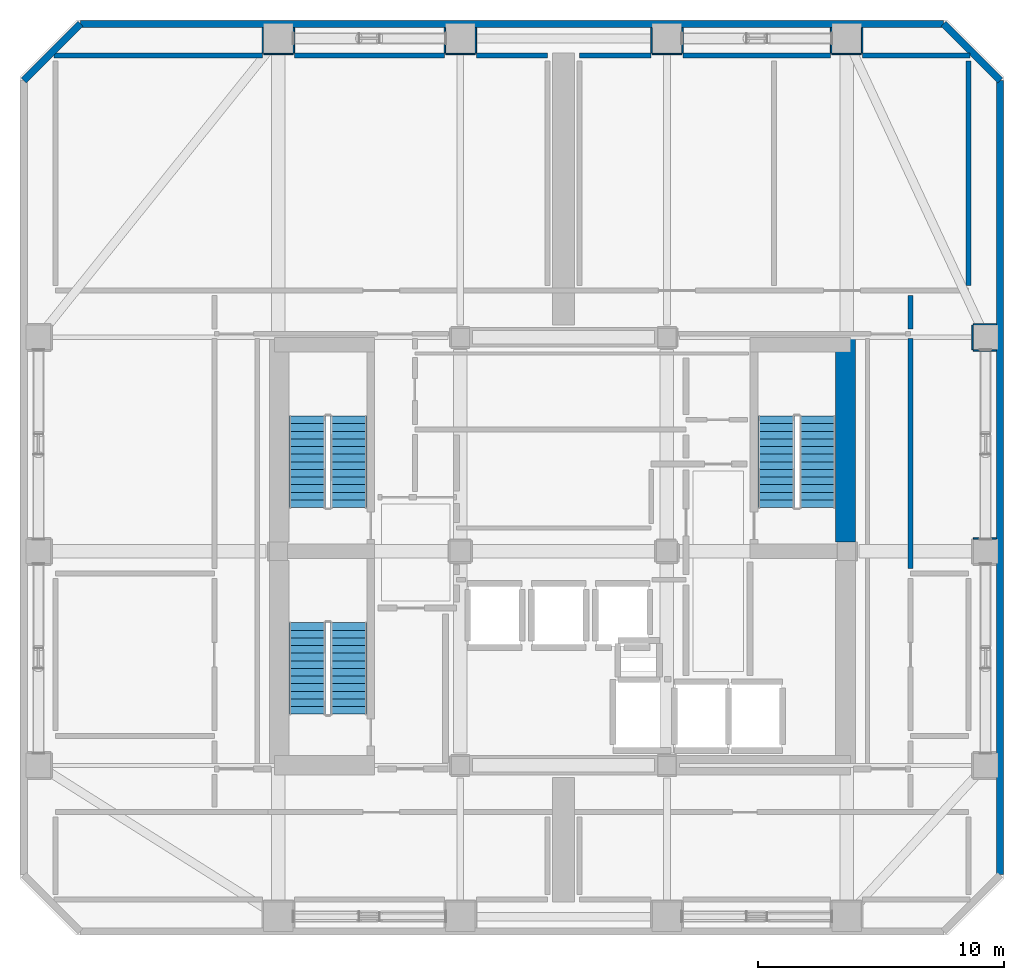
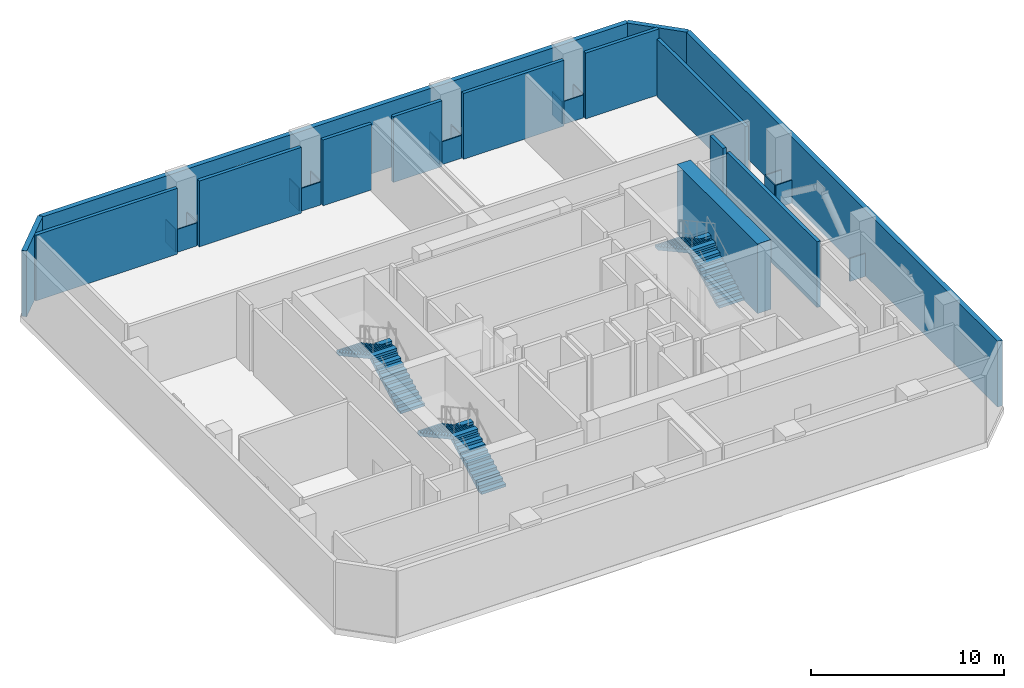
# One storey, part 11 of 12: 30 walls, 6 stair flights, 3 elements without a shape of their own.
"""IFC4 building model written with IfcOpenShell, lengths in metres."""

from ifc_helpers import new_model, si_unit, direction, frame, frame_2d, origin, place, context, subcontext, project, spatial, polyline, rectangle, outline, extrude, material, layer, layer_set, type_object, element, aggregate, save


model = new_model("IFC4")

# Units and contexts
model_context = context("Model", 3, precision=1e-05, world=origin(), true_north=direction((0.0, 1.0)))
body_context = subcontext(model_context, "Body", "Model", "MODEL_VIEW")
ifc_project = project(units=[si_unit("LENGTHUNIT", "METRE"), si_unit("AREAUNIT", "SQUARE_METRE"), si_unit("VOLUMEUNIT", "CUBIC_METRE"), si_unit("PLANEANGLEUNIT", "RADIAN"), si_unit("MASSUNIT", "GRAM", prefix="KILO")], contexts=[model_context])

# Site, building, storey
site_placement = place(None, origin())
site = spatial("IfcSite", under=ifc_project, at=site_placement, CompositionType="ELEMENT")
building_placement = place(site_placement, origin())
building = spatial("IfcBuilding", under=site, at=building_placement, Name="Solanera Arch Residences", CompositionType="ELEMENT")
storey_placement = place(building_placement, frame((0.0, 0.0, 172.47998046875)))
storey = spatial("IfcBuildingStorey", under=building, at=storey_placement, Name="L50", CompositionType="ELEMENT", Elevation=172.47998046875)

# Walls
ifc_material_1 = material(Name="Fire-Rated Gypsum Stud Partition", Category="gypsum")
ifc_layer_1 = layer(ifc_material_1, 0.06005859375)
ifc_layer_set_1 = layer_set([ifc_layer_1], Name="Fire-Rated Gypsum Stud Partition")
wall_type_1 = type_object("IfcWallType", Name="Column Acoustic Furring Wall 60", PredefinedType="PARTITIONING", material=ifc_layer_set_1)
wall_1_placement = place(storey_placement, frame((12.800048828125, 50.91796875, 0.0), z_axis=(0.0, 0.0, 1.0), x_axis=(1.0, 0.0, 0.0)))
element("IfcWall", 1, at=wall_1_placement, inside=storey, type_object=wall_type_1, Name="L50 Column Furring 10S", PredefinedType="PARTITIONING", context=body_context, shape_type="SweptSolid", body=[
    extrude(rectangle(XDim=1.199951171875, YDim=0.06005859375, at=frame_2d((0.60009765625, 0.0))), origin(), (0.0, 0.0, 1.0), 1.449951171875),
])
for number, where, z_axis, x_axis, name in (
    (2, (12.76806640625, 50.949951171875, 0.0), (0.0, 0.0, 1.0), (0.0, 1.0, 0.0), "L50 Column Furring 10W"),
    (3, (14.031982421875, 50.949951171875, 0.0), (0.0, 0.0, 1.0), (0.0, 1.0, 0.0), "L50 Column Furring 10E"),
):
    element("IfcWall", number, at=place(storey_placement, frame(where, z_axis=z_axis, x_axis=x_axis)), inside=storey, type_object=wall_type_1, Name=name, PredefinedType="PARTITIONING", context=body_context, shape_type="SweptSolid", body=[
        extrude(rectangle(XDim=1.0400390625, YDim=0.06005859375, at=frame_2d((0.52001953125, 0.0))), origin(), (0.0, 0.0, 1.0), 1.449951171875),
    ])
wall_2_placement = place(storey_placement, frame((20.199951171875, 50.91796875, 0.0), z_axis=(0.0, 0.0, 1.0), x_axis=(1.0, 0.0, 0.0)))
element("IfcWall", 4, at=wall_2_placement, inside=storey, type_object=wall_type_1, Name="L50 Column Furring 12S", PredefinedType="PARTITIONING", context=body_context, shape_type="SweptSolid", body=[
    extrude(rectangle(XDim=1.199951171875, YDim=0.06005859375, at=frame_2d((0.60009765625, 0.0))), origin(), (0.0, 0.0, 1.0), 1.449951171875),
])
for number, where, z_axis, x_axis, name in (
    (5, (20.16796875, 50.949951171875, 0.0), (0.0, 0.0, 1.0), (0.0, 1.0, 0.0), "L50 Column Furring 12W"),
    (6, (21.431884765625, 50.949951171875, 0.0), (0.0, 0.0, 1.0), (0.0, 1.0, 0.0), "L50 Column Furring 12E"),
):
    element("IfcWall", number, at=place(storey_placement, frame(where, z_axis=z_axis, x_axis=x_axis)), inside=storey, type_object=wall_type_1, Name=name, PredefinedType="PARTITIONING", context=body_context, shape_type="SweptSolid", body=[
        extrude(rectangle(XDim=1.0400390625, YDim=0.06005859375, at=frame_2d((0.52001953125, 0.0))), origin(), (0.0, 0.0, 1.0), 1.449951171875),
    ])
wall_3_placement = place(storey_placement, frame((28.60009765625, 50.91796875, 0.0), z_axis=(0.0, 0.0, 1.0), x_axis=(1.0, 0.0, 0.0)))
element("IfcWall", 7, at=wall_3_placement, inside=storey, type_object=wall_type_1, Name="L50 Column Furring 14S", PredefinedType="PARTITIONING", context=body_context, shape_type="SweptSolid", body=[
    extrude(rectangle(XDim=1.199951171875, YDim=0.06005859375, at=frame_2d((0.60009765625, 0.0))), origin(), (0.0, 0.0, 1.0), 1.449951171875),
])
for number, where, z_axis, x_axis, name in (
    (8, (28.568115234375, 50.949951171875, 0.0), (0.0, 0.0, 1.0), (0.0, 1.0, 0.0), "L50 Column Furring 14W"),
    (9, (29.83203125, 50.949951171875, 0.0), (0.0, 0.0, 1.0), (0.0, 1.0, 0.0), "L50 Column Furring 14E"),
):
    element("IfcWall", number, at=place(storey_placement, frame(where, z_axis=z_axis, x_axis=x_axis)), inside=storey, type_object=wall_type_1, Name=name, PredefinedType="PARTITIONING", context=body_context, shape_type="SweptSolid", body=[
        extrude(rectangle(XDim=1.0400390625, YDim=0.06005859375, at=frame_2d((0.52001953125, 0.0))), origin(), (0.0, 0.0, 1.0), 1.449951171875),
    ])
wall_4_placement = place(storey_placement, frame((35.89990234375, 50.91796875, 0.0), z_axis=(0.0, 0.0, 1.0), x_axis=(1.0, 0.0, 0.0)))
element("IfcWall", 10, at=wall_4_placement, inside=storey, type_object=wall_type_1, Name="L50 Column Furring 16S", PredefinedType="PARTITIONING", context=body_context, shape_type="SweptSolid", body=[
    extrude(rectangle(XDim=1.2001953125, YDim=0.06005859375, at=frame_2d((0.60009765625, 0.0))), origin(), (0.0, 0.0, 1.0), 1.449951171875),
])
for number, where, z_axis, x_axis, name in (
    (11, (35.867919921875, 50.949951171875, 0.0), (0.0, 0.0, 1.0), (0.0, 1.0, 0.0), "L50 Column Furring 16W"),
    (12, (37.132080078125, 50.949951171875, 0.0), (0.0, 0.0, 1.0), (0.0, 1.0, 0.0), "L50 Column Furring 16E"),
):
    element("IfcWall", number, at=place(storey_placement, frame(where, z_axis=z_axis, x_axis=x_axis)), inside=storey, type_object=wall_type_1, Name=name, PredefinedType="PARTITIONING", context=body_context, shape_type="SweptSolid", body=[
        extrude(rectangle(XDim=1.0400390625, YDim=0.06005859375, at=frame_2d((0.52001953125, 0.0))), origin(), (0.0, 0.0, 1.0), 1.449951171875),
    ])
for number, where, z_axis, x_axis, name in (
    (13, (41.64990234375, 31.23193359375, 0.0), (0.0, 0.0, 1.0), (1.0, 0.0, 0.0), "L50 Column Furring 20N"),
    (14, (41.64990234375, 38.867919921875, 0.0), (0.0, 0.0, 1.0), (1.0, 0.0, 0.0), "L50 Column Furring 22S"),
    (15, (41.64990234375, 39.931884765625, 0.0), (0.0, 0.0, 1.0), (1.0, 0.0, 0.0), "L50 Column Furring 22N"),
):
    element("IfcWall", number, at=place(storey_placement, frame(where, z_axis=z_axis, x_axis=x_axis)), inside=storey, type_object=wall_type_1, Name=name, PredefinedType="PARTITIONING", context=body_context, shape_type="SweptSolid", body=[
        extrude(rectangle(XDim=0.940185546875, YDim=0.06005859375, at=frame_2d((0.47021484375, 0.0))), origin(), (0.0, 0.0, 1.0), 1.449951171875),
    ])
wall_5_placement = place(storey_placement, frame((41.617919921875, 38.89990234375, 0.0), z_axis=(0.0, 0.0, 1.0), x_axis=(0.0, 1.0, 0.0)))
element("IfcWall", 16, at=wall_5_placement, inside=storey, type_object=wall_type_1, Name="L50 Column Furring 22W", PredefinedType="PARTITIONING", context=body_context, shape_type="SweptSolid", body=[
    extrude(rectangle(XDim=1.0, YDim=0.06005859375, at=frame_2d((0.5, 0.0))), origin(), (0.0, 0.0, 1.0), 1.449951171875),
])
ifc_material_2 = material(Name="Concrete C40/50 (f'c = 45 MPa)", Category="concrete")
ifc_layer_2 = layer(ifc_material_2, 0.800048828125)
ifc_layer_set_2 = layer_set([ifc_layer_2], Name="Concrete C40/50 (f'c = 45 MPa)")
wall_type_2 = type_object("IfcWallType", Name="Core Shear Wall CW-800", PredefinedType="SHEAR", material=ifc_layer_set_2)
wall_6_placement = place(storey_placement, frame((36.4599609375, 31.080078125, 0.0), z_axis=(0.0, 0.0, 1.0), x_axis=(0.0, 1.0, 0.0)))
element("IfcWall", 17, at=wall_6_placement, inside=storey, type_object=wall_type_2, Name="L50 East Core North Shear Wall", PredefinedType="SHEAR", context=body_context, shape_type="SweptSolid", body=[
    extrude(rectangle(XDim=8.31982421875, YDim=0.800048828125, at=frame_2d((4.159912109375, 0.0))), origin(), (0.0, 0.0, 1.0), 4.39990234375),
])
ifc_material_3 = material(Name="Precast Concrete C35/45", Category="concrete")
ifc_layer_3 = layer(ifc_material_3, 0.280029296875)
ifc_layer_set_3 = layer_set([ifc_layer_3], Name="Precast Concrete C35/45")
wall_type_3 = type_object("IfcWallType", Name="Exterior Wall Precast Masonry-Frame 280", PredefinedType="STANDARD", material=ifc_layer_set_3)
wall_7_placement = place(storey_placement, frame((3.054931640625, 49.844970703125, 0.0), z_axis=(0.0, 0.0, 1.0), x_axis=(0.707106781187, 0.707106781187, 0.0)))
element("IfcWall", 18, at=wall_7_placement, inside=storey, type_object=wall_type_3, Name="L50 Tower Exterior Precast Masonry-Frame Wall CH1", PredefinedType="STANDARD", context=body_context, shape_type="SweptSolid", body=[
    extrude(rectangle(XDim=3.252685546875, YDim=0.280029296875, at=frame_2d((1.62646484375, 0.0))), origin(), (0.0, 0.0, 1.0), 4.159912109375),
])
wall_8_placement = place(storey_placement, frame((5.35498046875, 52.14501953125, 0.0), z_axis=(0.0, 0.0, 1.0), x_axis=(1.0, 0.0, 0.0)))
element("IfcWall", 19, at=wall_8_placement, inside=storey, type_object=wall_type_3, Name="L50 Tower Exterior Precast Masonry-Frame Wall N", PredefinedType="STANDARD", context=body_context, shape_type="SweptSolid", body=[
    extrude(rectangle(XDim=35.090087890625, YDim=0.280029296875, at=frame_2d((17.544921875, 0.0))), origin(), (0.0, 0.0, 1.0), 4.159912109375),
])
wall_9_placement = place(storey_placement, frame((40.445068359375, 52.14501953125, 0.0), z_axis=(0.0, 0.0, 1.0), x_axis=(0.707106781187, -0.707106781187, 0.0)))
element("IfcWall", 20, at=wall_9_placement, inside=storey, type_object=wall_type_3, Name="L50 Tower Exterior Precast Masonry-Frame Wall CH3", PredefinedType="STANDARD", context=body_context, shape_type="SweptSolid", body=[
    extrude(rectangle(XDim=3.252685546875, YDim=0.280029296875, at=frame_2d((1.62646484375, 0.0))), origin(), (0.0, 0.0, 1.0), 4.159912109375),
])
wall_10_placement = place(storey_placement, frame((42.7451171875, 49.844970703125, 0.0), z_axis=(0.0, 0.0, 1.0), x_axis=(0.0, -1.0, 0.0)))
element("IfcWall", 21, at=wall_10_placement, inside=storey, type_object=wall_type_3, Name="L50 Tower Exterior Precast Masonry-Frame Wall E", PredefinedType="STANDARD", context=body_context, shape_type="SweptSolid", body=[
    extrude(rectangle(XDim=32.2900390625, YDim=0.280029296875, at=frame_2d((16.14501953125, 0.0))), origin(), (0.0, 0.0, 1.0), 4.159912109375),
])
ifc_material_4 = material(Name="Autoclaved Aerated Concrete Blockwork", Category="masonry")
ifc_layer_4 = layer(ifc_material_4, 0.199951171875)
ifc_layer_set_4 = layer_set([ifc_layer_4], Name="Autoclaved Aerated Concrete Blockwork")
wall_type_4 = type_object("IfcWallType", Name="Party Wall Acoustic 200", PredefinedType="PARTITIONING", material=ifc_layer_set_4)
wall_11_placement = place(storey_placement, frame((4.27490234375, 50.85009765625, 0.0), z_axis=(0.0, 0.0, 1.0), x_axis=(1.0, 0.0, 0.0)))
element("IfcWall", 22, at=wall_11_placement, inside=storey, type_object=wall_type_4, Name="L50 Interior Partition H15 1", PredefinedType="PARTITIONING", context=body_context, shape_type="SweptSolid", body=[
    extrude(rectangle(XDim=8.47509765625, YDim=0.199951171875, at=frame_2d((4.237548828125, 0.0))), origin(), (0.0, 0.0, 1.0), 4.159912109375),
])
wall_12_placement = place(storey_placement, frame((14.050048828125, 50.85009765625, 0.0), z_axis=(0.0, 0.0, 1.0), x_axis=(1.0, 0.0, 0.0)))
element("IfcWall", 23, at=wall_12_placement, inside=storey, type_object=wall_type_4, Name="L50 Interior Partition H15 2", PredefinedType="PARTITIONING", context=body_context, shape_type="SweptSolid", body=[
    extrude(rectangle(XDim=6.099853515625, YDim=0.199951171875, at=frame_2d((3.0498046875, 0.0))), origin(), (0.0, 0.0, 1.0), 4.159912109375),
])
for number, where, z_axis, x_axis, name in (
    (24, (21.449951171875, 50.85009765625, 0.0), (0.0, 0.0, 1.0), (1.0, 0.0, 0.0), "L50 Interior Partition H15 3"),
    (25, (25.64990234375, 50.85009765625, 0.0), (0.0, 0.0, 1.0), (1.0, 0.0, 0.0), "L50 Interior Partition H16 1"),
):
    element("IfcWall", number, at=place(storey_placement, frame(where, z_axis=z_axis, x_axis=x_axis)), inside=storey, type_object=wall_type_4, Name=name, PredefinedType="PARTITIONING", context=body_context, shape_type="SweptSolid", body=[
        extrude(rectangle(XDim=2.900146484375, YDim=0.199951171875, at=frame_2d((1.4501953125, 0.0))), origin(), (0.0, 0.0, 1.0), 4.159912109375),
    ])
wall_13_placement = place(storey_placement, frame((29.85009765625, 50.85009765625, 0.0), z_axis=(0.0, 0.0, 1.0), x_axis=(1.0, 0.0, 0.0)))
element("IfcWall", 26, at=wall_13_placement, inside=storey, type_object=wall_type_4, Name="L50 Interior Partition H16 2", PredefinedType="PARTITIONING", context=body_context, shape_type="SweptSolid", body=[
    extrude(rectangle(XDim=6.0, YDim=0.199951171875, at=frame_2d((3.0, 0.0))), origin(), (0.0, 0.0, 1.0), 4.159912109375),
])
wall_14_placement = place(storey_placement, frame((37.14990234375, 50.85009765625, 0.0), z_axis=(0.0, 0.0, 1.0), x_axis=(1.0, 0.0, 0.0)))
element("IfcWall", 27, at=wall_14_placement, inside=storey, type_object=wall_type_4, Name="L50 Interior Partition H16 3", PredefinedType="PARTITIONING", context=body_context, shape_type="SweptSolid", body=[
    extrude(rectangle(XDim=4.375, YDim=0.199951171875, at=frame_2d((2.1875, 0.0))), origin(), (0.0, 0.0, 1.0), 4.159912109375),
])
wall_15_placement = place(storey_placement, frame((39.10009765625, 30.008056640625, 0.0), z_axis=(0.0, 0.0, 1.0), x_axis=(0.0, 1.0, 0.0)))
element("IfcWall", 28, at=wall_15_placement, inside=storey, type_object=wall_type_4, Name="L50 Interior Partition V16 4", PredefinedType="PARTITIONING", context=body_context, shape_type="SweptSolid", body=[
    extrude(rectangle(XDim=9.343994140625, YDim=0.199951171875, at=frame_2d((4.671875, 0.0))), origin(), (0.0, 0.0, 1.0), 4.159912109375),
])
wall_16_placement = place(storey_placement, frame((39.10009765625, 39.748046875, 0.0), z_axis=(0.0, 0.0, 1.0), x_axis=(0.0, 1.0, 0.0)))
element("IfcWall", 29, at=wall_16_placement, inside=storey, type_object=wall_type_4, Name="L50 Interior Partition V16 5", PredefinedType="PARTITIONING", context=body_context, shape_type="SweptSolid", body=[
    extrude(rectangle(XDim=1.343994140625, YDim=0.199951171875, at=frame_2d((0.671875, 0.0))), origin(), (0.0, 0.0, 1.0), 4.159912109375),
])
wall_17_placement = place(storey_placement, frame((41.449951171875, 41.508056640625, 0.0), z_axis=(0.0, 0.0, 1.0), x_axis=(0.0, 1.0, 0.0)))
element("IfcWall", 30, at=wall_17_placement, inside=storey, type_object=wall_type_4, Name="L50 Interior Partition V19", PredefinedType="PARTITIONING", context=body_context, shape_type="SweptSolid", body=[
    extrude(rectangle(XDim=9.134033203125, YDim=0.199951171875, at=frame_2d((4.56689453125, 0.0))), origin(), (0.0, 0.0, 1.0), 3.64501953125),
])

# Stair, stair flights
ifc_material_5 = material(Name="Concrete C40/50 (f'c = 45 MPa)", Category="concrete")
stair_type = type_object("IfcStairType", Name="Tower Dogleg Exit Stair 1480", PredefinedType="HALF_TURN_STAIR", material=ifc_material_5)
stair_1_placement = place(storey_placement, origin())
stair_1 = element("IfcStair", 31, at=stair_1_placement, inside=storey, type_object=stair_type, Name="L50 Tower Core Exit Stair 1", PredefinedType="HALF_TURN_STAIR")
ifc_material_6 = material(Name="Concrete C40/50 (f'c = 45 MPa)", Category="concrete")
stair_flight_type = type_object("IfcStairFlightType", Name="Tower Precast Stair Flight 1480", PredefinedType="STRAIGHT", material=ifc_material_6)
stair_flight_1_placement = place(storey_placement, frame((16.260009765625, 32.47998046875, 0.0), z_axis=(0.0, 0.0, 1.0), x_axis=(0.0, 1.0, 0.0)))
stair_flight_1 = element("IfcStairFlight", 32, at=stair_flight_1_placement, type_object=stair_flight_type, Name="ST-T1 flight 1", NumberOfRisers=13, NumberOfTreads=12, PredefinedType="STRAIGHT", RiserHeight=0.169230769, TreadLength=0.31, context=body_context, shape_type="SweptSolid", body=[
    extrude(outline(polyline([(0.0, 0.0), (0.0, 0.169189453125), (0.31005859375, 0.169189453125), (0.31005859375, 0.33837890625), (0.6201171875, 0.33837890625), (0.6201171875, 0.5078125), (0.929931640625, 0.5078125), (0.929931640625, 0.677001953125), (1.239990234375, 0.677001953125), (1.239990234375, 0.84619140625), (1.550048828125, 0.84619140625), (1.550048828125, 1.015380859375), (1.860107421875, 1.015380859375), (1.860107421875, 1.1845703125), (2.169921875, 1.1845703125), (2.169921875, 1.353759765625), (2.47998046875, 1.353759765625), (2.47998046875, 1.523193359375), (2.7900390625, 1.523193359375), (2.7900390625, 1.6923828125), (3.10009765625, 1.6923828125), (3.10009765625, 1.861572265625), (3.409912109375, 1.861572265625), (3.409912109375, 2.03076171875), (3.719970703125, 2.03076171875), (3.719970703125, 2.199951171875), (3.719970703125, 1.85986328125), (0.312744140625, 0.0), (0.0, 0.0)])), frame((0.0, 0.739990234375, 0.0), z_axis=(0.0, -1.0, 0.0), x_axis=(1.0, 0.0, 0.0)), (0.0, 0.0, 1.0), 1.47998046875),
])
stair_flight_2_placement = place(storey_placement, frame((14.580078125, 36.199951171875, 2.199951171875), z_axis=(0.0, 0.0, 1.0), x_axis=(0.0, -1.0, 0.0)))
stair_flight_2 = element("IfcStairFlight", 33, at=stair_flight_2_placement, type_object=stair_flight_type, Name="ST-T1 flight 2", NumberOfRisers=13, NumberOfTreads=12, PredefinedType="STRAIGHT", RiserHeight=0.169230769, TreadLength=0.31, context=body_context, shape_type="SweptSolid", body=[
    extrude(outline(polyline([(0.0, 0.0), (0.0, 0.169189453125), (0.31005859375, 0.169189453125), (0.31005859375, 0.33837890625), (0.6201171875, 0.33837890625), (0.6201171875, 0.5078125), (0.929931640625, 0.5078125), (0.929931640625, 0.677001953125), (1.239990234375, 0.677001953125), (1.239990234375, 0.84619140625), (1.550048828125, 0.84619140625), (1.550048828125, 1.015380859375), (1.860107421875, 1.015380859375), (1.860107421875, 1.1845703125), (2.169921875, 1.1845703125), (2.169921875, 1.353759765625), (2.47998046875, 1.353759765625), (2.47998046875, 1.523193359375), (2.7900390625, 1.523193359375), (2.7900390625, 1.6923828125), (3.10009765625, 1.6923828125), (3.10009765625, 1.861572265625), (3.409912109375, 1.861572265625), (3.409912109375, 2.03076171875), (3.719970703125, 2.03076171875), (3.719970703125, 2.199951171875), (3.719970703125, 1.85986328125), (0.312744140625, 0.0), (0.0, 0.0)])), frame((0.0, 0.739990234375, 0.0), z_axis=(0.0, -1.0, 0.0), x_axis=(1.0, 0.0, 0.0)), (0.0, 0.0, 1.0), 1.47998046875),
])
aggregate(stair_1, [stair_flight_1, stair_flight_2])

stair_2_placement = place(storey_placement, origin())
stair_2 = element("IfcStair", 34, at=stair_2_placement, inside=storey, type_object=stair_type, Name="L50 Tower Core Exit Stair 2", PredefinedType="HALF_TURN_STAIR")
stair_flight_3_placement = place(storey_placement, frame((35.320068359375, 32.47998046875, 0.0), z_axis=(0.0, 0.0, 1.0), x_axis=(0.0, 1.0, 0.0)))
stair_flight_3 = element("IfcStairFlight", 35, at=stair_flight_3_placement, type_object=stair_flight_type, Name="ST-T2 flight 1", NumberOfRisers=13, NumberOfTreads=12, PredefinedType="STRAIGHT", RiserHeight=0.169230769, TreadLength=0.31, context=body_context, shape_type="SweptSolid", body=[
    extrude(outline(polyline([(0.0, 0.0), (0.0, 0.169189453125), (0.31005859375, 0.169189453125), (0.31005859375, 0.33837890625), (0.6201171875, 0.33837890625), (0.6201171875, 0.5078125), (0.929931640625, 0.5078125), (0.929931640625, 0.677001953125), (1.239990234375, 0.677001953125), (1.239990234375, 0.84619140625), (1.550048828125, 0.84619140625), (1.550048828125, 1.015380859375), (1.860107421875, 1.015380859375), (1.860107421875, 1.1845703125), (2.169921875, 1.1845703125), (2.169921875, 1.353759765625), (2.47998046875, 1.353759765625), (2.47998046875, 1.523193359375), (2.7900390625, 1.523193359375), (2.7900390625, 1.6923828125), (3.10009765625, 1.6923828125), (3.10009765625, 1.861572265625), (3.409912109375, 1.861572265625), (3.409912109375, 2.03076171875), (3.719970703125, 2.03076171875), (3.719970703125, 2.199951171875), (3.719970703125, 1.85986328125), (0.312744140625, 0.0), (0.0, 0.0)])), frame((0.0, 0.739990234375, 0.0), z_axis=(0.0, -1.0, 0.0), x_axis=(1.0, 0.0, 0.0)), (0.0, 0.0, 1.0), 1.47998046875),
])
stair_flight_4_placement = place(storey_placement, frame((33.639892578125, 36.199951171875, 2.199951171875), z_axis=(0.0, 0.0, 1.0), x_axis=(0.0, -1.0, 0.0)))
stair_flight_4 = element("IfcStairFlight", 36, at=stair_flight_4_placement, type_object=stair_flight_type, Name="ST-T2 flight 2", NumberOfRisers=13, NumberOfTreads=12, PredefinedType="STRAIGHT", RiserHeight=0.169230769, TreadLength=0.31, context=body_context, shape_type="SweptSolid", body=[
    extrude(outline(polyline([(0.0, 0.0), (0.0, 0.169189453125), (0.31005859375, 0.169189453125), (0.31005859375, 0.33837890625), (0.6201171875, 0.33837890625), (0.6201171875, 0.5078125), (0.929931640625, 0.5078125), (0.929931640625, 0.677001953125), (1.239990234375, 0.677001953125), (1.239990234375, 0.84619140625), (1.550048828125, 0.84619140625), (1.550048828125, 1.015380859375), (1.860107421875, 1.015380859375), (1.860107421875, 1.1845703125), (2.169921875, 1.1845703125), (2.169921875, 1.353759765625), (2.47998046875, 1.353759765625), (2.47998046875, 1.523193359375), (2.7900390625, 1.523193359375), (2.7900390625, 1.6923828125), (3.10009765625, 1.6923828125), (3.10009765625, 1.861572265625), (3.409912109375, 1.861572265625), (3.409912109375, 2.03076171875), (3.719970703125, 2.03076171875), (3.719970703125, 2.199951171875), (3.719970703125, 1.85986328125), (0.312744140625, 0.0), (0.0, 0.0)])), frame((0.0, 0.739990234375, 0.0), z_axis=(0.0, -1.0, 0.0), x_axis=(1.0, 0.0, 0.0)), (0.0, 0.0, 1.0), 1.47998046875),
])
aggregate(stair_2, [stair_flight_3, stair_flight_4])

stair_3_placement = place(storey_placement, origin())
stair_3 = element("IfcStair", 37, at=stair_3_placement, inside=storey, type_object=stair_type, Name="L50 Tower Core Exit Stair 3", PredefinedType="HALF_TURN_STAIR")
stair_flight_5_placement = place(storey_placement, frame((16.260009765625, 24.080078125, 0.0), z_axis=(0.0, 0.0, 1.0), x_axis=(0.0, 1.0, 0.0)))
stair_flight_5 = element("IfcStairFlight", 38, at=stair_flight_5_placement, type_object=stair_flight_type, Name="ST-T3 flight 1", NumberOfRisers=13, NumberOfTreads=12, PredefinedType="STRAIGHT", RiserHeight=0.169230769, TreadLength=0.31, context=body_context, shape_type="SweptSolid", body=[
    extrude(outline(polyline([(0.0, 0.0), (0.0, 0.169189453125), (0.31005859375, 0.169189453125), (0.31005859375, 0.33837890625), (0.6201171875, 0.33837890625), (0.6201171875, 0.5078125), (0.929931640625, 0.5078125), (0.929931640625, 0.677001953125), (1.239990234375, 0.677001953125), (1.239990234375, 0.84619140625), (1.550048828125, 0.84619140625), (1.550048828125, 1.015380859375), (1.860107421875, 1.015380859375), (1.860107421875, 1.1845703125), (2.169921875, 1.1845703125), (2.169921875, 1.353759765625), (2.47998046875, 1.353759765625), (2.47998046875, 1.523193359375), (2.7900390625, 1.523193359375), (2.7900390625, 1.6923828125), (3.10009765625, 1.6923828125), (3.10009765625, 1.861572265625), (3.409912109375, 1.861572265625), (3.409912109375, 2.03076171875), (3.719970703125, 2.03076171875), (3.719970703125, 2.199951171875), (3.719970703125, 1.85986328125), (0.312744140625, 0.0), (0.0, 0.0)])), frame((0.0, 0.739990234375, 0.0), z_axis=(0.0, -1.0, 0.0), x_axis=(1.0, 0.0, 0.0)), (0.0, 0.0, 1.0), 1.47998046875),
])
stair_flight_6_placement = place(storey_placement, frame((14.580078125, 27.800048828125, 2.199951171875), z_axis=(0.0, 0.0, 1.0), x_axis=(0.0, -1.0, 0.0)))
stair_flight_6 = element("IfcStairFlight", 39, at=stair_flight_6_placement, type_object=stair_flight_type, Name="ST-T3 flight 2", NumberOfRisers=13, NumberOfTreads=12, PredefinedType="STRAIGHT", RiserHeight=0.169230769, TreadLength=0.31, context=body_context, shape_type="SweptSolid", body=[
    extrude(outline(polyline([(0.0, 0.0), (0.0, 0.169189453125), (0.31005859375, 0.169189453125), (0.31005859375, 0.33837890625), (0.6201171875, 0.33837890625), (0.6201171875, 0.5078125), (0.929931640625, 0.5078125), (0.929931640625, 0.677001953125), (1.239990234375, 0.677001953125), (1.239990234375, 0.84619140625), (1.550048828125, 0.84619140625), (1.550048828125, 1.015380859375), (1.860107421875, 1.015380859375), (1.860107421875, 1.1845703125), (2.169921875, 1.1845703125), (2.169921875, 1.353759765625), (2.47998046875, 1.353759765625), (2.47998046875, 1.523193359375), (2.7900390625, 1.523193359375), (2.7900390625, 1.6923828125), (3.10009765625, 1.6923828125), (3.10009765625, 1.861572265625), (3.409912109375, 1.861572265625), (3.409912109375, 2.03076171875), (3.719970703125, 2.03076171875), (3.719970703125, 2.199951171875), (3.719970703125, 1.85986328125), (0.312744140625, 0.0), (0.0, 0.0)])), frame((0.0, 0.739990234375, 0.0), z_axis=(0.0, -1.0, 0.0), x_axis=(1.0, 0.0, 0.0)), (0.0, 0.0, 1.0), 1.47998046875),
])
aggregate(stair_3, [stair_flight_5, stair_flight_6])

save(model, "model.ifc")
